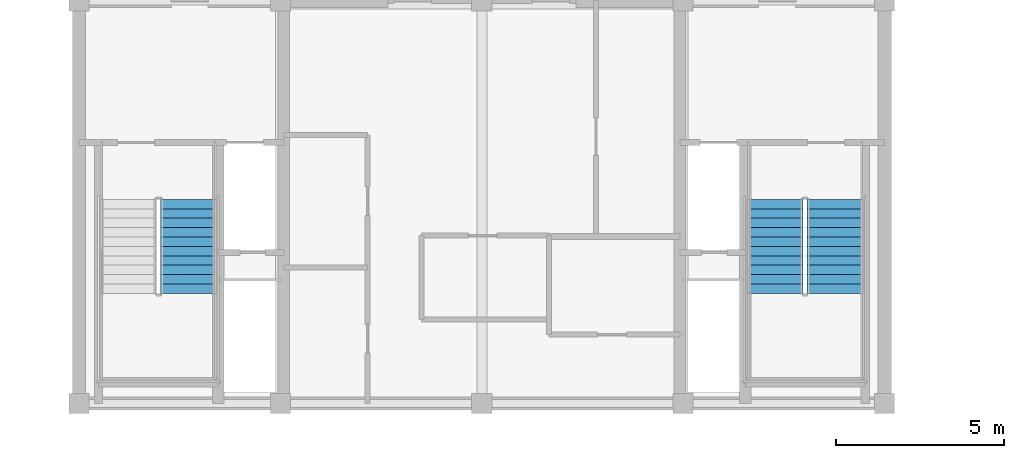
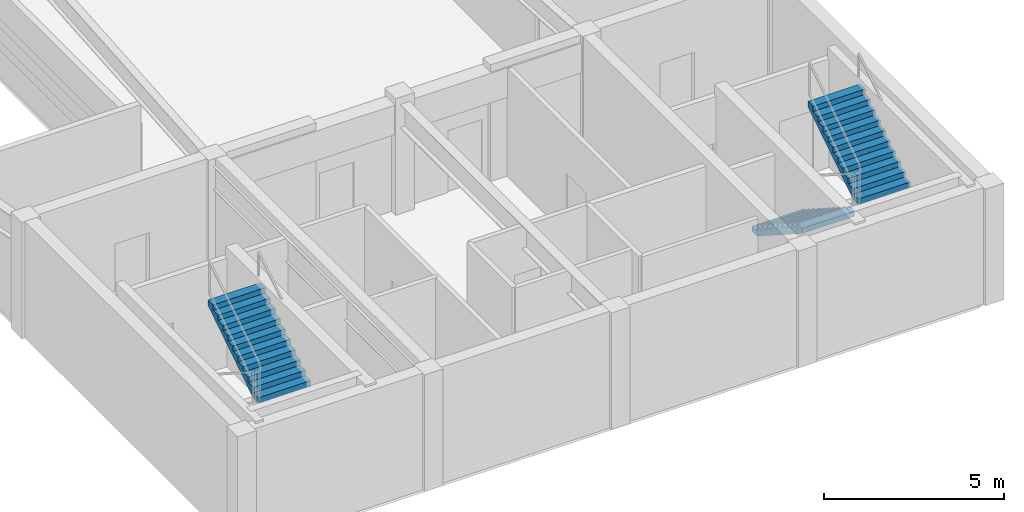
# One storey, part 4 of 6: 3 stair flights, 2 elements without a shape of their own.
"""IFC4 building model written with IfcOpenShell, lengths in metres."""

from ifc_helpers import new_model, si_unit, direction, frame, origin, place, context, subcontext, project, spatial, polyline, outline, extrude, material, type_object, element, aggregate, save


model = new_model("IFC4")

# Units and contexts
model_context = context("Model", 3, precision=1e-05, world=origin(), true_north=direction((0.0, 1.0)))
body_context = subcontext(model_context, "Body", "Model", "MODEL_VIEW")
ifc_project = project(units=[si_unit("LENGTHUNIT", "METRE"), si_unit("AREAUNIT", "SQUARE_METRE"), si_unit("VOLUMEUNIT", "CUBIC_METRE"), si_unit("PLANEANGLEUNIT", "RADIAN"), si_unit("MASSUNIT", "GRAM", prefix="KILO")], contexts=[model_context])

# Site, building, storey
site_placement = place(None, origin())
site = spatial("IfcSite", under=ifc_project, at=site_placement, CompositionType="ELEMENT")
building_placement = place(site_placement, origin())
building = spatial("IfcBuilding", under=site, at=building_placement, Name="Brelvock Crest Care Tower", CompositionType="ELEMENT")
storey_placement = place(building_placement, frame((0.0, 0.0, 311.760009765625)))
storey = spatial("IfcBuildingStorey", under=building, at=storey_placement, Name="L79", CompositionType="ELEMENT", Elevation=311.760009765625)

# Stair, stair flight
ifc_material = material(Name="Concrete N40 (40 MPa)", Category="concrete")
stair_type = type_object("IfcStairType", Name="ST-CORE1", PredefinedType="HALF_TURN_STAIR", material=ifc_material)
stair_1_placement = place(storey_placement, origin())
stair_1 = element("IfcStair", 1, at=stair_1_placement, inside=storey, type_object=stair_type, Name="L79 Fire-Isolated Core Stair ST-1", PredefinedType="HALF_TURN_STAIR")
stair_flight_type = type_object("IfcStairFlightType", Name="STF-1", PredefinedType="STRAIGHT", material=ifc_material)
stair_flight_1_placement = place(storey_placement, frame((27.27001953125, 9.280029296875, 1.97998046875), z_axis=(0.0, 0.0, 1.0), x_axis=(0.0, 1.0, 0.0)))
stair_flight_1 = element("IfcStairFlight", 2, at=stair_flight_1_placement, type_object=stair_flight_type, Name="ST-1 flight 2", NumberOfRisers=11, NumberOfTreads=10, PredefinedType="STRAIGHT", RiserHeight=0.18, TreadLength=0.28, context=body_context, shape_type="SweptSolid", body=[
    extrude(outline(polyline([(-0.00390625, -0.014892578125), (-0.00390625, -0.008056640625), (-0.00390625, -0.0009765625), (-0.00390625, 0.005859375), (-0.00390625, 0.012939453125), (-0.00390625, 0.019775390625), (-0.00390625, 0.02685546875), (-0.00390625, 0.03369140625), (-0.00390625, 0.040771484375), (-0.00390625, 0.047607421875), (-0.00390625, 0.0546875), (-0.00390625, 0.0615234375), (-0.00390625, 0.068603515625), (-0.00390625, 0.075439453125), (-0.00390625, 0.08251953125), (-0.00390625, 0.08935546875), (-0.00390625, 0.096435546875), (-0.00390625, 0.103271484375), (-0.00390625, 0.1103515625), (-0.00390625, 0.117431640625), (-0.00390625, 0.124267578125), (-0.00390625, 0.13134765625), (-0.00390625, 0.13818359375), (-0.00390625, 0.145263671875), (-0.00390625, 0.152099609375), (-0.00390625, 0.1591796875), (-0.00390625, 0.166015625), (-0.00390625, 0.173095703125), (-0.00390625, 0.179931640625), (0.0, 0.179931640625), (0.280029296875, 0.179931640625), (0.280029296875, 0.360107421875), (0.56005859375, 0.360107421875), (0.56005859375, 0.5400390625), (0.840087890625, 0.5400390625), (0.840087890625, 0.719970703125), (1.1201171875, 0.719970703125), (1.1201171875, 0.89990234375), (1.39990234375, 0.89990234375), (1.39990234375, 1.080078125), (1.679931640625, 1.080078125), (1.679931640625, 1.260009765625), (1.9599609375, 1.260009765625), (1.9599609375, 1.43994140625), (2.239990234375, 1.43994140625), (2.239990234375, 1.6201171875), (2.52001953125, 1.6201171875), (2.52001953125, 1.800048828125), (2.800048828125, 1.800048828125), (2.803955078125, 1.800048828125), (2.8037109375, 1.79931640625), (2.803955078125, 1.798828125), (2.8037109375, 1.798095703125), (2.803955078125, 1.79736328125), (2.8037109375, 1.796875), (2.803955078125, 1.796142578125), (2.8037109375, 1.79541015625), (2.803955078125, 1.794921875), (2.8037109375, 1.794189453125), (2.803955078125, 1.79345703125), (2.8037109375, 1.79296875), (2.803955078125, 1.792236328125), (2.8037109375, 1.791748046875), (2.803955078125, 1.791015625), (2.8037109375, 1.790283203125), (2.803955078125, 1.789794921875), (2.8037109375, 1.7890625), (2.803955078125, 1.788330078125), (2.8037109375, 1.787841796875), (2.803955078125, 1.787109375), (2.8037109375, 1.78662109375), (2.803955078125, 1.785888671875), (2.8037109375, 1.78515625), (2.803955078125, 1.78466796875), (2.8037109375, 1.783935546875), (2.803955078125, 1.783203125), (2.8037109375, 1.78271484375), (2.803955078125, 1.781982421875), (2.800048828125, 1.621826171875), (0.277099609375, 0.0), (0.0, 0.0), (0.0, -0.014892578125), (-0.00390625, -0.014892578125)])), frame((0.0, 0.83984375, 0.0), z_axis=(0.0, -1.0, 0.0), x_axis=(1.0, 0.0, 0.0)), (0.0, 0.0, 1.0), 1.679931640625),
])
aggregate(stair_1, [stair_flight_1])

# Stair, stair flights
stair_2_placement = place(storey_placement, origin())
stair_2 = element("IfcStair", 3, at=stair_2_placement, inside=storey, type_object=stair_type, Name="L79 Fire-Isolated Core Stair ST-2", PredefinedType="HALF_TURN_STAIR")
stair_flight_2_placement = place(storey_placement, frame((44.72998046875, 12.080078125, 0.0), z_axis=(0.0, 0.0, 1.0), x_axis=(0.0, -1.0, 0.0)))
stair_flight_2 = element("IfcStairFlight", 4, at=stair_flight_2_placement, type_object=stair_flight_type, Name="ST-2 flight 1", NumberOfRisers=11, NumberOfTreads=10, PredefinedType="STRAIGHT", RiserHeight=0.18, TreadLength=0.28, context=body_context, shape_type="SweptSolid", body=[
    extrude(outline(polyline([(-0.00390625, -0.014892578125), (-0.00390625, -0.008056640625), (-0.00390625, -0.0009765625), (-0.00390625, 0.005859375), (-0.00390625, 0.012939453125), (-0.00390625, 0.019775390625), (-0.00390625, 0.02685546875), (-0.00390625, 0.03369140625), (-0.00390625, 0.040771484375), (-0.00390625, 0.047607421875), (-0.00390625, 0.0546875), (-0.00390625, 0.0615234375), (-0.00390625, 0.068603515625), (-0.00390625, 0.075439453125), (-0.00390625, 0.08251953125), (-0.00390625, 0.08935546875), (-0.00390625, 0.096435546875), (-0.00390625, 0.103271484375), (-0.00390625, 0.1103515625), (-0.00390625, 0.117431640625), (-0.00390625, 0.124267578125), (-0.00390625, 0.13134765625), (-0.00390625, 0.13818359375), (-0.00390625, 0.145263671875), (-0.00390625, 0.152099609375), (-0.00390625, 0.1591796875), (-0.00390625, 0.166015625), (-0.00390625, 0.173095703125), (-0.00390625, 0.179931640625), (0.0, 0.179931640625), (0.280029296875, 0.179931640625), (0.280029296875, 0.360107421875), (0.56005859375, 0.360107421875), (0.56005859375, 0.5400390625), (0.840087890625, 0.5400390625), (0.840087890625, 0.719970703125), (1.1201171875, 0.719970703125), (1.1201171875, 0.89990234375), (1.39990234375, 0.89990234375), (1.39990234375, 1.080078125), (1.679931640625, 1.080078125), (1.679931640625, 1.260009765625), (1.9599609375, 1.260009765625), (1.9599609375, 1.43994140625), (2.239990234375, 1.43994140625), (2.239990234375, 1.6201171875), (2.52001953125, 1.6201171875), (2.52001953125, 1.800048828125), (2.800048828125, 1.800048828125), (2.803955078125, 1.800048828125), (2.8037109375, 1.79931640625), (2.803955078125, 1.798828125), (2.8037109375, 1.798095703125), (2.803955078125, 1.79736328125), (2.8037109375, 1.796875), (2.803955078125, 1.796142578125), (2.8037109375, 1.79541015625), (2.803955078125, 1.794921875), (2.8037109375, 1.794189453125), (2.803955078125, 1.79345703125), (2.8037109375, 1.79296875), (2.803955078125, 1.792236328125), (2.8037109375, 1.791748046875), (2.803955078125, 1.791015625), (2.8037109375, 1.790283203125), (2.803955078125, 1.789794921875), (2.8037109375, 1.7890625), (2.803955078125, 1.788330078125), (2.8037109375, 1.787841796875), (2.803955078125, 1.787109375), (2.8037109375, 1.78662109375), (2.803955078125, 1.785888671875), (2.8037109375, 1.78515625), (2.803955078125, 1.78466796875), (2.8037109375, 1.783935546875), (2.803955078125, 1.783203125), (2.8037109375, 1.78271484375), (2.803955078125, 1.781982421875), (2.800048828125, 1.621826171875), (0.277099609375, 0.0), (0.0, 0.0), (0.0, -0.014892578125), (-0.00390625, -0.014892578125)])), frame((0.0, 0.83984375, 0.0), z_axis=(0.0, -1.0, 0.0), x_axis=(1.0, 0.0, 0.0)), (0.0, 0.0, 1.0), 1.679931640625),
])
stair_flight_3_placement = place(storey_placement, frame((46.530029296875, 9.280029296875, 1.97998046875), z_axis=(0.0, 0.0, 1.0), x_axis=(0.0, 1.0, 0.0)))
stair_flight_3 = element("IfcStairFlight", 5, at=stair_flight_3_placement, type_object=stair_flight_type, Name="ST-2 flight 2", NumberOfRisers=11, NumberOfTreads=10, PredefinedType="STRAIGHT", RiserHeight=0.18, TreadLength=0.28, context=body_context, shape_type="SweptSolid", body=[
    extrude(outline(polyline([(-0.00390625, -0.014892578125), (-0.00390625, -0.008056640625), (-0.00390625, -0.0009765625), (-0.00390625, 0.005859375), (-0.00390625, 0.012939453125), (-0.00390625, 0.019775390625), (-0.00390625, 0.02685546875), (-0.00390625, 0.03369140625), (-0.00390625, 0.040771484375), (-0.00390625, 0.047607421875), (-0.00390625, 0.0546875), (-0.00390625, 0.0615234375), (-0.00390625, 0.068603515625), (-0.00390625, 0.075439453125), (-0.00390625, 0.08251953125), (-0.00390625, 0.08935546875), (-0.00390625, 0.096435546875), (-0.00390625, 0.103271484375), (-0.00390625, 0.1103515625), (-0.00390625, 0.117431640625), (-0.00390625, 0.124267578125), (-0.00390625, 0.13134765625), (-0.00390625, 0.13818359375), (-0.00390625, 0.145263671875), (-0.00390625, 0.152099609375), (-0.00390625, 0.1591796875), (-0.00390625, 0.166015625), (-0.00390625, 0.173095703125), (-0.00390625, 0.179931640625), (0.0, 0.179931640625), (0.280029296875, 0.179931640625), (0.280029296875, 0.360107421875), (0.56005859375, 0.360107421875), (0.56005859375, 0.5400390625), (0.840087890625, 0.5400390625), (0.840087890625, 0.719970703125), (1.1201171875, 0.719970703125), (1.1201171875, 0.89990234375), (1.39990234375, 0.89990234375), (1.39990234375, 1.080078125), (1.679931640625, 1.080078125), (1.679931640625, 1.260009765625), (1.9599609375, 1.260009765625), (1.9599609375, 1.43994140625), (2.239990234375, 1.43994140625), (2.239990234375, 1.6201171875), (2.52001953125, 1.6201171875), (2.52001953125, 1.800048828125), (2.800048828125, 1.800048828125), (2.803955078125, 1.800048828125), (2.8037109375, 1.79931640625), (2.803955078125, 1.798828125), (2.8037109375, 1.798095703125), (2.803955078125, 1.79736328125), (2.8037109375, 1.796875), (2.803955078125, 1.796142578125), (2.8037109375, 1.79541015625), (2.803955078125, 1.794921875), (2.8037109375, 1.794189453125), (2.803955078125, 1.79345703125), (2.8037109375, 1.79296875), (2.803955078125, 1.792236328125), (2.8037109375, 1.791748046875), (2.803955078125, 1.791015625), (2.8037109375, 1.790283203125), (2.803955078125, 1.789794921875), (2.8037109375, 1.7890625), (2.803955078125, 1.788330078125), (2.8037109375, 1.787841796875), (2.803955078125, 1.787109375), (2.8037109375, 1.78662109375), (2.803955078125, 1.785888671875), (2.8037109375, 1.78515625), (2.803955078125, 1.78466796875), (2.8037109375, 1.783935546875), (2.803955078125, 1.783203125), (2.8037109375, 1.78271484375), (2.803955078125, 1.781982421875), (2.800048828125, 1.621826171875), (0.277099609375, 0.0), (0.0, 0.0), (0.0, -0.014892578125), (-0.00390625, -0.014892578125)])), frame((0.0, 0.83984375, 0.0), z_axis=(0.0, -1.0, 0.0), x_axis=(1.0, 0.0, 0.0)), (0.0, 0.0, 1.0), 1.679931640625),
])
aggregate(stair_2, [stair_flight_2, stair_flight_3])

save(model, "model.ifc")
